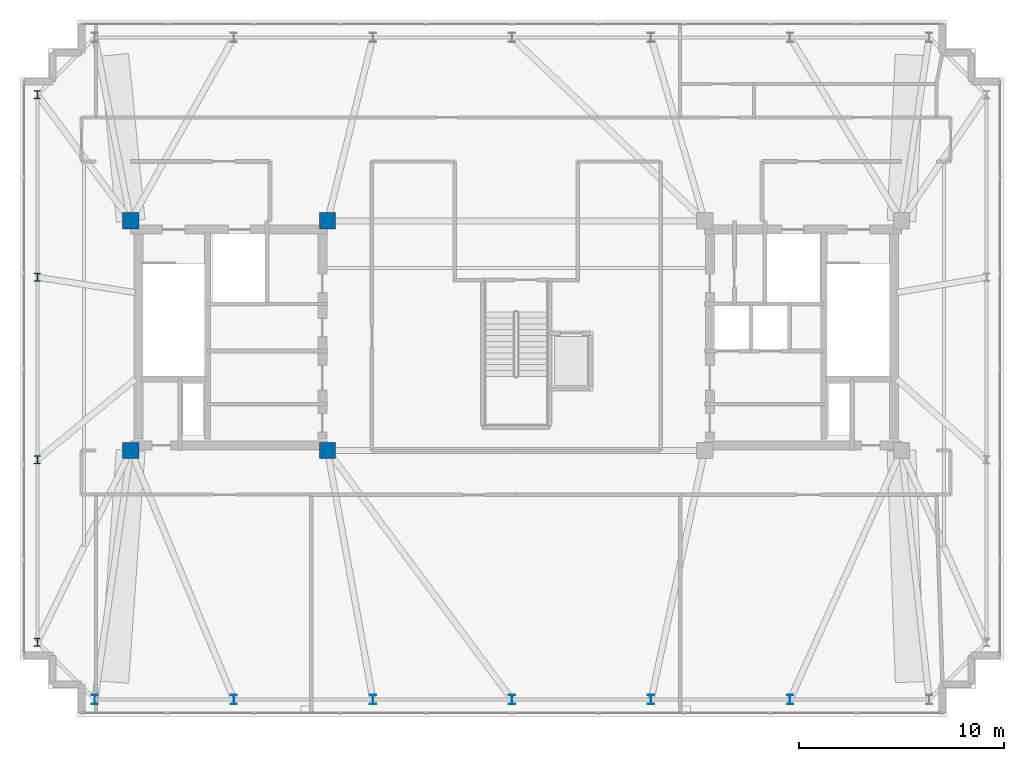
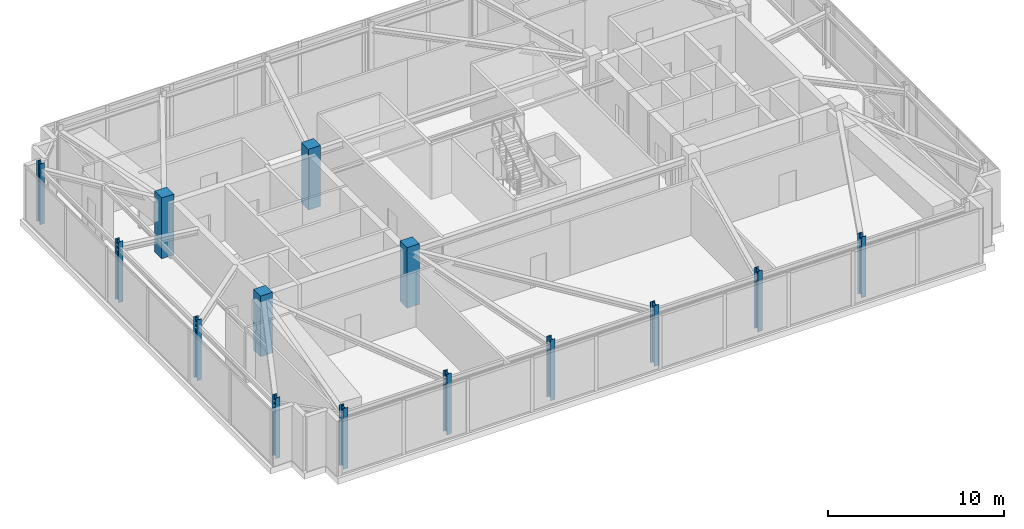
# One storey, part 1 of 27: 14 columns.
"""IFC4 building model written with IfcOpenShell, lengths in metres."""

from ifc_helpers import new_model, si_unit, direction, frame, origin, origin_2d, place, context, subcontext, project, spatial, rectangle, i_section, extrude, material, material_profile, profile_set, type_object, element, save


model = new_model("IFC4")

# Units and contexts
model_context = context("Model", 3, precision=1e-05, world=origin(), true_north=direction((0.0, 1.0)))
body_context = subcontext(model_context, "Body", "Model", "MODEL_VIEW")
ifc_project = project(units=[si_unit("LENGTHUNIT", "METRE"), si_unit("AREAUNIT", "SQUARE_METRE"), si_unit("VOLUMEUNIT", "CUBIC_METRE"), si_unit("PLANEANGLEUNIT", "RADIAN"), si_unit("MASSUNIT", "GRAM", prefix="KILO")], contexts=[model_context])

# Site, building, storey
site_placement = place(None, origin())
site = spatial("IfcSite", under=ifc_project, at=site_placement, CompositionType="ELEMENT")
building_placement = place(site_placement, origin())
building = spatial("IfcBuilding", under=site, at=building_placement, Name="Qobustan Lattice House", CompositionType="ELEMENT")
storey_placement = place(building_placement, frame((0.0, 0.0, 266.0)))
storey = spatial("IfcBuildingStorey", under=building, at=storey_placement, Name="L75", CompositionType="ELEMENT", Elevation=266.0)

# Columns
ifc_material_1 = material(Name="Concrete C50/60", Category="concrete")
ifc_material_profile_1 = material_profile(ifc_material_1, rectangle(XDim=0.800048828125, YDim=0.800048828125, at=origin_2d()), Name="RC800x800")
ifc_profile_set_1 = profile_set([ifc_material_profile_1], Name="Concrete C50/60")
column_type_1 = type_object("IfcColumnType", Name="COL-RC-800", PredefinedType="COLUMN", material=ifc_profile_set_1)
for number, where, z_axis, x_axis, name in (
    (1, (-18.800048828125, -5.60009765625, 0.0), (0.0, 0.0, 1.0), (1.0, 0.0, 0.0), "L75 core mega-column CW-SW"),
    (2, (-18.800048828125, 5.60009765625, 0.0), (0.0, 0.0, 1.0), (1.0, 0.0, 0.0), "L75 core mega-column CW-NW"),
    (3, (-9.199951171875, -5.60009765625, 0.0), (0.0, 0.0, 1.0), (1.0, 0.0, 0.0), "L75 core mega-column CW-SE"),
    (4, (-9.199951171875, 5.60009765625, 0.0), (0.0, 0.0, 1.0), (1.0, 0.0, 0.0), "L75 core mega-column CW-NE"),
):
    element("IfcColumn", number, at=place(storey_placement, frame(where, z_axis=z_axis, x_axis=x_axis)), inside=storey, type_object=column_type_1, Name=name, PredefinedType="COLUMN", context=body_context, shape_type="SweptSolid", body=[
        extrude(rectangle(XDim=0.800048828125, YDim=0.800048828125, at=origin_2d()), origin(), (0.0, 0.0, 1.0), 4.199951171875),
    ])
ifc_material_2 = material(Name="Steel S355", Category="steel")
ifc_material_profile_2 = material_profile(ifc_material_2, i_section(OverallWidth=0.300048828125, OverallDepth=0.39990234375, WebThickness=0.013427734375, FlangeThickness=0.02392578125, FilletRadius=0.027099609375, at=origin_2d()), Name="HEB400")
ifc_profile_set_2 = profile_set([ifc_material_profile_2], Name="Steel S355")
column_type_2 = type_object("IfcColumnType", Name="COL-ST-HEB400", PredefinedType="COLUMN", material=ifc_profile_set_2)
for number, where, z_axis, x_axis, name in (
    (5, (-23.35009765625, 11.75, 0.0), (0.0, 0.0, 1.0), (1.0, 0.0, 0.0), "L75 B5 perimeter column W1"),
    (6, (-23.35009765625, 2.85009765625, 0.0), (0.0, 0.0, 1.0), (1.0, 0.0, 0.0), "L75 B5 perimeter column W2"),
    (7, (-23.35009765625, -6.050048828125, 0.0), (0.0, 0.0, 1.0), (1.0, 0.0, 0.0), "L75 B5 perimeter column W3"),
    (8, (-23.35009765625, -14.949951171875, 0.0), (0.0, 0.0, 1.0), (1.0, 0.0, 0.0), "L75 B5 perimeter column W4"),
):
    element("IfcColumn", number, at=place(storey_placement, frame(where, z_axis=z_axis, x_axis=x_axis)), inside=storey, type_object=column_type_2, Name=name, PredefinedType="COLUMN", context=body_context, shape_type="SweptSolid", body=[
        extrude(i_section(OverallWidth=0.300048828125, OverallDepth=0.39990234375, WebThickness=0.013427734375, FlangeThickness=0.02392578125, FilletRadius=0.027099609375, at=origin_2d()), origin(), (0.0, 0.0, 1.0), 4.199951171875),
    ])
ifc_material_3 = material(Name="Steel S355", Category="steel")
ifc_material_profile_3 = material_profile(ifc_material_3, i_section(OverallWidth=0.300048828125, OverallDepth=0.449951171875, WebThickness=0.013916015625, FlangeThickness=0.02587890625, FilletRadius=0.027099609375, at=origin_2d()), Name="HEB450")
ifc_profile_set_3 = profile_set([ifc_material_profile_3], Name="Steel S355")
column_type_3 = type_object("IfcColumnType", Name="COL-ST-HEB450", PredefinedType="COLUMN", material=ifc_profile_set_3)
for number, where, z_axis, x_axis, name in (
    (9, (-20.550048828125, -17.75, 0.0), (0.0, 0.0, 1.0), (1.0, 0.0, 0.0), "L75 B5 perimeter column S1"),
    (10, (-13.7666015625, -17.75, 0.0), (0.0, 0.0, 1.0), (1.0, 0.0, 0.0), "L75 B5 perimeter column S2"),
    (11, (-6.9833984375, -17.75, 0.0), (0.0, 0.0, 1.0), (1.0, 0.0, 0.0), "L75 B5 perimeter column S3"),
    (12, (-0.199951171875, -17.75, 0.0), (0.0, 0.0, 1.0), (1.0, 0.0, 0.0), "L75 B5 perimeter column S4"),
    (13, (6.583251953125, -17.75, 0.0), (0.0, 0.0, 1.0), (1.0, 0.0, 0.0), "L75 B5 perimeter column S5"),
    (14, (13.36669921875, -17.75, 0.0), (0.0, 0.0, 1.0), (1.0, 0.0, 0.0), "L75 B5 perimeter column S6"),
):
    element("IfcColumn", number, at=place(storey_placement, frame(where, z_axis=z_axis, x_axis=x_axis)), inside=storey, type_object=column_type_3, Name=name, PredefinedType="COLUMN", context=body_context, shape_type="SweptSolid", body=[
        extrude(i_section(OverallWidth=0.300048828125, OverallDepth=0.449951171875, WebThickness=0.013916015625, FlangeThickness=0.02587890625, FilletRadius=0.027099609375, at=origin_2d()), origin(), (0.0, 0.0, 1.0), 4.199951171875),
    ])

save(model, "model.ifc")
